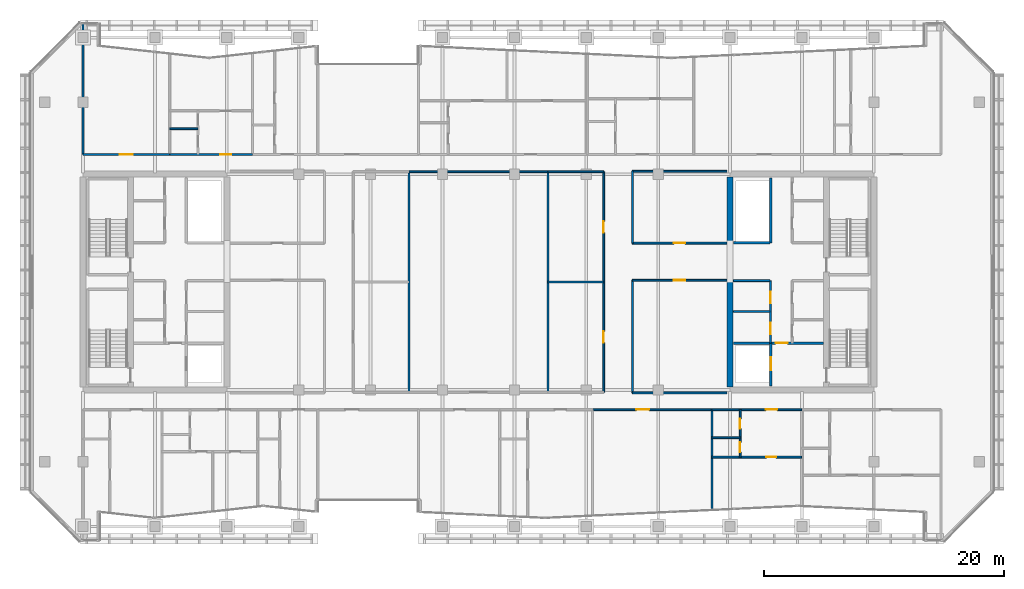
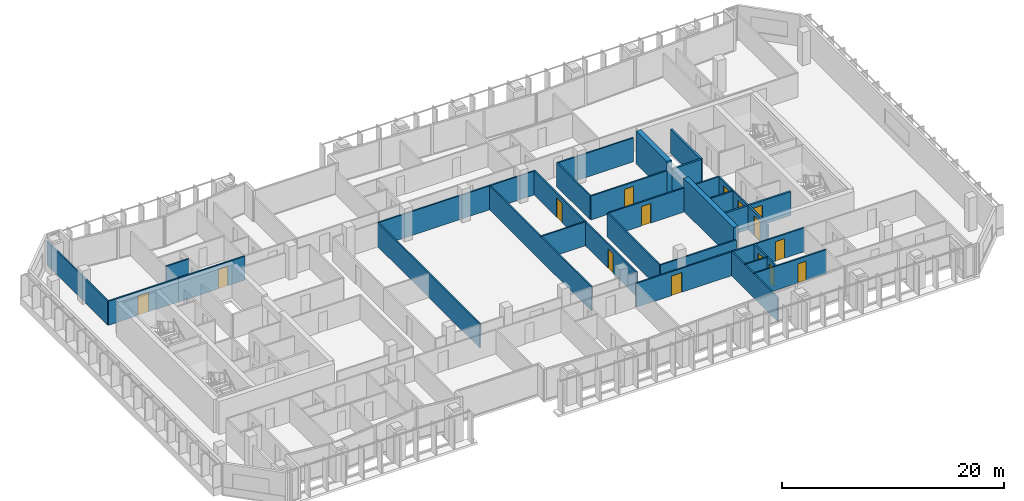
# One storey, part 21 of 29: 32 walls, 15 doors, 15 openings.
"""IFC4 building model written with IfcOpenShell, lengths in metres."""

from ifc_helpers import new_model, si_unit, direction, frame, frame_2d, origin, place, context, subcontext, project, spatial, rectangle, extrude, material, layer, layer_set, type_object, element, fill, save


model = new_model("IFC4")

# Units and contexts
model_context = context("Model", 3, precision=1e-05, world=origin(), true_north=direction((0.0, 1.0)))
body_context = subcontext(model_context, "Body", "Model", "MODEL_VIEW")
ifc_project = project(units=[si_unit("LENGTHUNIT", "METRE"), si_unit("AREAUNIT", "SQUARE_METRE"), si_unit("VOLUMEUNIT", "CUBIC_METRE"), si_unit("PLANEANGLEUNIT", "RADIAN"), si_unit("MASSUNIT", "GRAM", prefix="KILO")], contexts=[model_context])

# Site, building, storey
site_placement = place(None, origin())
site = spatial("IfcSite", under=ifc_project, at=site_placement, CompositionType="ELEMENT")
building_placement = place(site_placement, origin())
building = spatial("IfcBuilding", under=site, at=building_placement, Name="Tanjung Sevakor Pilgrim Tower", CompositionType="ELEMENT")
storey_placement = place(building_placement, frame((0.0, 0.0, 162.030029296875)))
storey = spatial("IfcBuildingStorey", under=building, at=storey_placement, Name="L45", CompositionType="ELEMENT", Elevation=162.030029296875)

# Walls
ifc_material_1 = material(Name="Concrete C60/75", Category="concrete")
ifc_layer_1 = layer(ifc_material_1, 0.5)
ifc_layer_set_1 = layer_set([ifc_layer_1], Name="WALL-CW-500")
wall_type_1 = type_object("IfcWallType", Name="WALL-CW-500", PredefinedType="SHEAR", material=ifc_layer_set_1)
wall_1_placement = place(storey_placement, frame((78.0, 24.85009765625, 0.0), z_axis=(0.0, 0.0, 1.0), x_axis=(0.0, 1.0, 0.0)))
element("IfcWall", 1, at=wall_1_placement, inside=storey, type_object=wall_type_1, Name="L45 E Core Inner Shear Wall South", PredefinedType="SHEAR", context=body_context, shape_type="SweptSolid", body=[
    extrude(rectangle(XDim=8.949951171875, YDim=0.5, at=frame_2d((4.47509765625, 0.0))), origin(), (0.0, 0.0, 1.0), 3.6298828125),
])
wall_2_placement = place(storey_placement, frame((78.0, 36.800048828125, 0.0), z_axis=(0.0, 0.0, 1.0), x_axis=(0.0, 1.0, 0.0)))
element("IfcWall", 2, at=wall_2_placement, inside=storey, type_object=wall_type_1, Name="L45 E Core Inner Shear Wall North", PredefinedType="SHEAR", context=body_context, shape_type="SweptSolid", body=[
    extrude(rectangle(XDim=5.550048828125, YDim=0.5, at=frame_2d((2.77490234375, 0.0))), origin(), (0.0, 0.0, 1.0), 3.6298828125),
])
ifc_material_2 = material(Name="Concrete C40/50", Category="concrete")
ifc_layer_2 = layer(ifc_material_2, 0.14990234375)
ifc_layer_set_2 = layer_set([ifc_layer_2], Name="WT-COMP-150")
wall_type_2 = type_object("IfcWallType", Name="WT-COMP-150", PredefinedType="SOLIDWALL", material=ifc_layer_set_2)
for number, where, z_axis, x_axis, name in (
    (3, (78.27001953125, 31.14990234375, 0.0), (0.0, 0.0, 1.0), (1.0, 0.0, 0.0), "L45 Partition IW-L45-019"),
    (4, (78.27001953125, 33.719970703125, 0.0), (0.0, 0.0, 1.0), (1.0, 0.0, 0.0), "L45 Partition IW-L45-020"),
):
    element("IfcWall", number, at=place(storey_placement, frame(where, z_axis=z_axis, x_axis=x_axis)), inside=storey, type_object=wall_type_2, Name=name, PredefinedType="SOLIDWALL", context=body_context, shape_type="SweptSolid", body=[
        extrude(rectangle(XDim=3.050048828125, YDim=0.14990234375, at=frame_2d((1.52490234375, 0.0))), origin(), (0.0, 0.0, 1.0), 2.6298828125),
    ])

# Wall, openings, doors
wall_3_placement = place(storey_placement, frame((81.3798828125, 28.5, 0.0), z_axis=(0.0, 0.0, 1.0), x_axis=(0.0, 1.0, 0.0)))
wall_3 = element("IfcWall", 5, at=wall_3_placement, inside=storey, type_object=wall_type_2, Name="L45 Partition IW-L45-021", PredefinedType="SOLIDWALL", context=body_context, shape_type="SweptSolid", body=[
    extrude(rectangle(XDim=5.219970703125, YDim=0.14990234375, at=frame_2d((2.60986328125, 0.0))), origin(), (0.0, 0.0, 1.0), 2.6298828125),
])
opening_1_placement = place(wall_3_placement, frame((0.75, 0.0, 0.0)))
opening_1 = element("IfcOpeningElement", 6, at=opening_1_placement, cuts=wall_3, Name="Opening ID-FD2", PredefinedType="OPENING", context=body_context, shape_type="SweptSolid", body=[
    extrude(rectangle(XDim=0.949951171875, YDim=2.14990234375, at=frame_2d((0.47509765625, 1.074951171875))), frame((0.0, 0.0849609375, 0.0), z_axis=(0.0, -1.0, 0.0), x_axis=(1.0, 0.0, 0.0)), (0.0, 0.0, 1.0), 0.169921875),
])
opening_2_placement = place(wall_3_placement, frame((3.35009765625, 0.0, 0.0)))
opening_2 = element("IfcOpeningElement", 7, at=opening_2_placement, cuts=wall_3, Name="Opening ID-FD2", PredefinedType="OPENING", context=body_context, shape_type="SweptSolid", body=[
    extrude(rectangle(XDim=0.949951171875, YDim=2.14990234375, at=frame_2d((0.47509765625, 1.074951171875))), frame((0.0, 0.0849609375, 0.0), z_axis=(0.0, -1.0, 0.0), x_axis=(1.0, 0.0, 0.0)), (0.0, 0.0, 1.0), 0.169921875),
])
ifc_material_3 = material(Name="Fire-Rated Timber", Category="wood")
door_type_1 = type_object("IfcDoorType", Name="DT-FIRE-950", OperationType="NOTDEFINED", PredefinedType="DOOR", material=ifc_material_3)
door_1_placement = place(opening_1_placement, origin())
door_1 = element("IfcDoor", 8, at=door_1_placement, inside=storey, type_object=door_type_1, Name="L45 Accessible WC Door", OperationType="SINGLE_SWING_LEFT", OverallHeight=2.14990234375, OverallWidth=0.949951171875, PredefinedType="DOOR", context=body_context, shape_type="SweptSolid", body=[
    extrude(rectangle(XDim=0.949951171875, YDim=2.14990234375, at=frame_2d((0.47509765625, 1.074951171875))), frame((0.0, 0.02490234375, 0.0), z_axis=(0.0, -1.0, 0.0), x_axis=(1.0, 0.0, 0.0)), (0.0, 0.0, 1.0), 0.050048828125),
])
fill(opening_1, door_1)
door_2_placement = place(opening_2_placement, origin())
door_2 = element("IfcDoor", 9, at=door_2_placement, inside=storey, type_object=door_type_1, Name="L45 Core Service Door", OperationType="SINGLE_SWING_RIGHT", OverallHeight=2.14990234375, OverallWidth=0.949951171875, PredefinedType="DOOR", context=body_context, shape_type="SweptSolid", body=[
    extrude(rectangle(XDim=0.949951171875, YDim=2.14990234375, at=frame_2d((0.47509765625, 1.074951171875))), frame((0.0, 0.02490234375, 0.0), z_axis=(0.0, -1.0, 0.0), x_axis=(1.0, 0.0, 0.0)), (0.0, 0.0, 1.0), 0.050048828125),
])
fill(opening_2, door_2)

# Wall
wall_4_placement = place(storey_placement, frame((69.85009765625, 24.35009765625, 0.0), z_axis=(0.0, 0.0, 1.0), x_axis=(1.0, 0.0, 0.0)))
element("IfcWall", 10, at=wall_4_placement, inside=storey, type_object=wall_type_2, Name="L45 Partition IW-L45-033", PredefinedType="SOLIDWALL", context=body_context, shape_type="SweptSolid", body=[
    extrude(rectangle(XDim=7.8798828125, YDim=0.14990234375, at=frame_2d((3.93994140625, 0.0))), origin(), (0.0, 0.0, 1.0), 2.6298828125),
])

# Wall, opening, door
wall_5_placement = place(storey_placement, frame((69.85009765625, 33.75, 0.0), z_axis=(0.0, 0.0, 1.0), x_axis=(1.0, 0.0, 0.0)))
wall_5 = element("IfcWall", 11, at=wall_5_placement, inside=storey, type_object=wall_type_2, Name="L45 Partition IW-L45-034", PredefinedType="SOLIDWALL", context=body_context, shape_type="SweptSolid", body=[
    extrude(rectangle(XDim=7.8798828125, YDim=0.14990234375, at=frame_2d((3.93994140625, 0.0))), origin(), (0.0, 0.0, 1.0), 2.6298828125),
])
opening_3_placement = place(wall_5_placement, frame((3.465087890625, 0.0, 0.0)))
opening_3 = element("IfcOpeningElement", 12, at=opening_3_placement, cuts=wall_5, Name="Opening ID-RM1", PredefinedType="OPENING", context=body_context, shape_type="SweptSolid", body=[
    extrude(rectangle(XDim=0.949951171875, YDim=2.14990234375, at=frame_2d((0.47509765625, 1.074951171875))), frame((0.0, 0.0849609375, 0.0), z_axis=(0.0, -1.0, 0.0), x_axis=(1.0, 0.0, 0.0)), (0.0, 0.0, 1.0), 0.169921875),
])
ifc_material_4 = material(Name="Hardwood Timber", Category="wood")
door_type_2 = type_object("IfcDoorType", Name="DT-INT-950", OperationType="NOTDEFINED", PredefinedType="DOOR", material=ifc_material_4)
door_3_placement = place(opening_3_placement, origin())
door_3 = element("IfcDoor", 13, at=door_3_placement, inside=storey, type_object=door_type_2, Name="L45 East Inboard South Door", OperationType="SINGLE_SWING_LEFT", OverallHeight=2.14990234375, OverallWidth=0.949951171875, PredefinedType="DOOR", context=body_context, shape_type="SweptSolid", body=[
    extrude(rectangle(XDim=0.949951171875, YDim=2.14990234375, at=frame_2d((0.47509765625, 1.074951171875))), frame((0.0, 0.02490234375, 0.0), z_axis=(0.0, -1.0, 0.0), x_axis=(1.0, 0.0, 0.0)), (0.0, 0.0, 1.0), 0.050048828125),
])
fill(opening_3, door_3)

# Wall
wall_6_placement = place(storey_placement, frame((69.85009765625, 24.35009765625, 0.0), z_axis=(0.0, 0.0, 1.0), x_axis=(0.0, 1.0, 0.0)))
element("IfcWall", 14, at=wall_6_placement, inside=storey, type_object=wall_type_2, Name="L45 Partition IW-L45-035", PredefinedType="SOLIDWALL", context=body_context, shape_type="SweptSolid", body=[
    extrude(rectangle(XDim=9.39990234375, YDim=0.14990234375, at=frame_2d((4.699951171875, 0.0))), origin(), (0.0, 0.0, 1.0), 2.6298828125),
])

# Wall, opening, door
wall_7_placement = place(storey_placement, frame((69.85009765625, 36.85009765625, 0.0), z_axis=(0.0, 0.0, 1.0), x_axis=(1.0, 0.0, 0.0)))
wall_7 = element("IfcWall", 15, at=wall_7_placement, inside=storey, type_object=wall_type_2, Name="L45 Partition IW-L45-036", PredefinedType="SOLIDWALL", context=body_context, shape_type="SweptSolid", body=[
    extrude(rectangle(XDim=7.8798828125, YDim=0.14990234375, at=frame_2d((3.93994140625, 0.0))), origin(), (0.0, 0.0, 1.0), 2.6298828125),
])
opening_4_placement = place(wall_7_placement, frame((3.465087890625, 0.0, 0.0)))
opening_4 = element("IfcOpeningElement", 16, at=opening_4_placement, cuts=wall_7, Name="Opening ID-RM1", PredefinedType="OPENING", context=body_context, shape_type="SweptSolid", body=[
    extrude(rectangle(XDim=0.949951171875, YDim=2.14990234375, at=frame_2d((0.47509765625, 1.074951171875))), frame((0.0, 0.0849609375, 0.0), z_axis=(0.0, -1.0, 0.0), x_axis=(1.0, 0.0, 0.0)), (0.0, 0.0, 1.0), 0.169921875),
])
door_4_placement = place(opening_4_placement, origin())
door_4 = element("IfcDoor", 17, at=door_4_placement, inside=storey, type_object=door_type_2, Name="L45 East Inboard North Door", OperationType="SINGLE_SWING_RIGHT", OverallHeight=2.14990234375, OverallWidth=0.949951171875, PredefinedType="DOOR", context=body_context, shape_type="SweptSolid", body=[
    extrude(rectangle(XDim=0.949951171875, YDim=2.14990234375, at=frame_2d((0.47509765625, 1.074951171875))), frame((0.0, 0.02490234375, 0.0), z_axis=(0.0, -1.0, 0.0), x_axis=(1.0, 0.0, 0.0)), (0.0, 0.0, 1.0), 0.050048828125),
])
fill(opening_4, door_4)

# Walls
wall_8_placement = place(storey_placement, frame((69.85009765625, 42.85009765625, 0.0), z_axis=(0.0, 0.0, 1.0), x_axis=(1.0, 0.0, 0.0)))
element("IfcWall", 18, at=wall_8_placement, inside=storey, type_object=wall_type_2, Name="L45 Partition IW-L45-037", PredefinedType="SOLIDWALL", context=body_context, shape_type="SweptSolid", body=[
    extrude(rectangle(XDim=7.8798828125, YDim=0.14990234375, at=frame_2d((3.93994140625, 0.0))), origin(), (0.0, 0.0, 1.0), 2.6298828125),
])
wall_9_placement = place(storey_placement, frame((69.85009765625, 36.85009765625, 0.0), z_axis=(0.0, 0.0, 1.0), x_axis=(0.0, 1.0, 0.0)))
element("IfcWall", 19, at=wall_9_placement, inside=storey, type_object=wall_type_2, Name="L45 Partition IW-L45-038", PredefinedType="SOLIDWALL", context=body_context, shape_type="SweptSolid", body=[
    extrude(rectangle(XDim=6.0, YDim=0.14990234375, at=frame_2d((3.0, 0.0))), origin(), (0.0, 0.0, 1.0), 2.6298828125),
])
wall_10_placement = place(storey_placement, frame((51.199951171875, 42.800048828125, 0.0), z_axis=(0.0, 0.0, 1.0), x_axis=(1.0, 0.0, 0.0)))
element("IfcWall", 20, at=wall_10_placement, inside=storey, type_object=wall_type_2, Name="L45 Partition IW-L45-045", PredefinedType="SOLIDWALL", context=body_context, shape_type="SweptSolid", body=[
    extrude(rectangle(XDim=11.60009765625, YDim=0.14990234375, at=frame_2d((5.800048828125, 0.0))), origin(), (0.0, 0.0, 1.0), 2.6298828125),
])
for number, where, z_axis, x_axis, name in (
    (21, (51.199951171875, 24.39990234375, 0.0), (0.0, 0.0, 1.0), (0.0, 1.0, 0.0), "L45 Partition IW-L45-046"),
    (22, (62.800048828125, 24.39990234375, 0.0), (0.0, 0.0, 1.0), (0.0, 1.0, 0.0), "L45 Partition IW-L45-047"),
):
    element("IfcWall", number, at=place(storey_placement, frame(where, z_axis=z_axis, x_axis=x_axis)), inside=storey, type_object=wall_type_2, Name=name, PredefinedType="SOLIDWALL", context=body_context, shape_type="SweptSolid", body=[
        extrude(rectangle(XDim=18.400146484375, YDim=0.14990234375, at=frame_2d((9.2001953125, 0.0))), origin(), (0.0, 0.0, 1.0), 2.6298828125),
    ])
wall_11_placement = place(storey_placement, frame((62.800048828125, 33.60009765625, 0.0), z_axis=(0.0, 0.0, 1.0), x_axis=(1.0, 0.0, 0.0)))
element("IfcWall", 23, at=wall_11_placement, inside=storey, type_object=wall_type_2, Name="L45 Partition IW-L45-049", PredefinedType="SOLIDWALL", context=body_context, shape_type="SweptSolid", body=[
    extrude(rectangle(XDim=4.64990234375, YDim=0.14990234375, at=frame_2d((2.324951171875, 0.0))), origin(), (0.0, 0.0, 1.0), 2.6298828125),
])

# Wall, opening, door
wall_12_placement = place(storey_placement, frame((67.449951171875, 24.39990234375, 0.0), z_axis=(0.0, 0.0, 1.0), x_axis=(0.0, 1.0, 0.0)))
wall_12 = element("IfcWall", 24, at=wall_12_placement, inside=storey, type_object=wall_type_2, Name="L45 Partition IW-L45-050", PredefinedType="SOLIDWALL", context=body_context, shape_type="SweptSolid", body=[
    extrude(rectangle(XDim=9.2001953125, YDim=0.14990234375, at=frame_2d((4.60009765625, 0.0))), origin(), (0.0, 0.0, 1.0), 2.6298828125),
])
opening_5_placement = place(wall_12_placement, frame((4.125, 0.0, 0.0)))
opening_5 = element("IfcOpeningElement", 25, at=opening_5_placement, cuts=wall_12, Name="Opening ID-RM1", PredefinedType="OPENING", context=body_context, shape_type="SweptSolid", body=[
    extrude(rectangle(XDim=0.949951171875, YDim=2.14990234375, at=frame_2d((0.47509765625, 1.074951171875))), frame((0.0, 0.0849609375, 0.0), z_axis=(0.0, -1.0, 0.0), x_axis=(1.0, 0.0, 0.0)), (0.0, 0.0, 1.0), 0.169921875),
])
door_5_placement = place(opening_5_placement, origin())
door_5 = element("IfcDoor", 26, at=door_5_placement, inside=storey, type_object=door_type_2, Name="L45 Female Ablution Door", OperationType="SINGLE_SWING_RIGHT", OverallHeight=2.14990234375, OverallWidth=0.949951171875, PredefinedType="DOOR", context=body_context, shape_type="SweptSolid", body=[
    extrude(rectangle(XDim=0.949951171875, YDim=2.14990234375, at=frame_2d((0.47509765625, 1.074951171875))), frame((0.0, 0.02490234375, 0.0), z_axis=(0.0, -1.0, 0.0), x_axis=(1.0, 0.0, 0.0)), (0.0, 0.0, 1.0), 0.050048828125),
])
fill(opening_5, door_5)

# Wall
wall_13_placement = place(storey_placement, frame((62.800048828125, 42.800048828125, 0.0), z_axis=(0.0, 0.0, 1.0), x_axis=(1.0, 0.0, 0.0)))
element("IfcWall", 27, at=wall_13_placement, inside=storey, type_object=wall_type_2, Name="L45 Partition IW-L45-051", PredefinedType="SOLIDWALL", context=body_context, shape_type="SweptSolid", body=[
    extrude(rectangle(XDim=4.64990234375, YDim=0.14990234375, at=frame_2d((2.324951171875, 0.0))), origin(), (0.0, 0.0, 1.0), 2.6298828125),
])

# Wall, opening, door
wall_14_placement = place(storey_placement, frame((67.449951171875, 33.60009765625, 0.0), z_axis=(0.0, 0.0, 1.0), x_axis=(0.0, 1.0, 0.0)))
wall_14 = element("IfcWall", 28, at=wall_14_placement, inside=storey, type_object=wall_type_2, Name="L45 Partition IW-L45-052", PredefinedType="SOLIDWALL", context=body_context, shape_type="SweptSolid", body=[
    extrude(rectangle(XDim=9.199951171875, YDim=0.14990234375, at=frame_2d((4.60009765625, 0.0))), origin(), (0.0, 0.0, 1.0), 2.6298828125),
])
opening_6_placement = place(wall_14_placement, frame((4.125, 0.0, 0.0)))
opening_6 = element("IfcOpeningElement", 29, at=opening_6_placement, cuts=wall_14, Name="Opening ID-RM1", PredefinedType="OPENING", context=body_context, shape_type="SweptSolid", body=[
    extrude(rectangle(XDim=0.949951171875, YDim=2.14990234375, at=frame_2d((0.47509765625, 1.074951171875))), frame((0.0, 0.0849609375, 0.0), z_axis=(0.0, -1.0, 0.0), x_axis=(1.0, 0.0, 0.0)), (0.0, 0.0, 1.0), 0.169921875),
])
door_6_placement = place(opening_6_placement, origin())
door_6 = element("IfcDoor", 30, at=door_6_placement, inside=storey, type_object=door_type_2, Name="L45 Female Washroom Door", OperationType="SINGLE_SWING_LEFT", OverallHeight=2.14990234375, OverallWidth=0.949951171875, PredefinedType="DOOR", context=body_context, shape_type="SweptSolid", body=[
    extrude(rectangle(XDim=0.949951171875, YDim=2.14990234375, at=frame_2d((0.47509765625, 1.074951171875))), frame((0.0, 0.02490234375, 0.0), z_axis=(0.0, -1.0, 0.0), x_axis=(1.0, 0.0, 0.0)), (0.0, 0.0, 1.0), 0.050048828125),
])
fill(opening_6, door_6)

# Wall
wall_15_placement = place(storey_placement, frame((76.490966796875, 14.56591796875, 0.0), z_axis=(0.0, 0.0, 1.0), x_axis=(0.0, 1.0, 0.0)))
element("IfcWall", 31, at=wall_15_placement, inside=storey, type_object=wall_type_2, Name="L45 Partition IW-L45-080", PredefinedType="SOLIDWALL", context=body_context, shape_type="SweptSolid", body=[
    extrude(rectangle(XDim=8.384033203125, YDim=0.14990234375, at=frame_2d((4.19189453125, 0.0))), origin(), (0.0, 0.0, 1.0), 2.6298828125),
])

# Wall, opening, door
wall_16_placement = place(storey_placement, frame((66.52099609375, 22.949951171875, 0.0), z_axis=(0.0, 0.0, 1.0), x_axis=(1.0, 0.0, 0.0)))
wall_16 = element("IfcWall", 32, at=wall_16_placement, inside=storey, type_object=wall_type_2, Name="L45 Partition IW-L45-081", PredefinedType="SOLIDWALL", context=body_context, shape_type="SweptSolid", body=[
    extrude(rectangle(XDim=9.969970703125, YDim=0.14990234375, at=frame_2d((4.98486328125, 0.0))), origin(), (0.0, 0.0, 1.0), 2.6298828125),
])
opening_7_placement = place(wall_16_placement, frame((3.635009765625, 0.0, 0.0)))
opening_7 = element("IfcOpeningElement", 33, at=opening_7_placement, cuts=wall_16, Name="Opening ID-FD0", PredefinedType="OPENING", context=body_context, shape_type="SweptSolid", body=[
    extrude(rectangle(XDim=1.10009765625, YDim=2.14990234375, at=frame_2d((0.550048828125, 1.074951171875))), frame((0.0, 0.0849609375, 0.0), z_axis=(0.0, -1.0, 0.0), x_axis=(1.0, 0.0, 0.0)), (0.0, 0.0, 1.0), 0.169921875),
])
ifc_material_5 = material(Name="Fire-Rated Steel S355J2", Category="steel")
door_type_3 = type_object("IfcDoorType", Name="DT-FIRE-1100", OperationType="NOTDEFINED", PredefinedType="DOOR", material=ifc_material_5)
door_7_placement = place(opening_7_placement, origin())
door_7 = element("IfcDoor", 34, at=door_7_placement, inside=storey, type_object=door_type_3, Name="Seminar Room Door", OperationType="SINGLE_SWING_LEFT", OverallHeight=2.14990234375, OverallWidth=1.10009765625, PredefinedType="DOOR", context=body_context, shape_type="SweptSolid", body=[
    extrude(rectangle(XDim=1.10009765625, YDim=2.14990234375, at=frame_2d((0.550048828125, 1.074951171875))), frame((0.0, 0.02490234375, 0.0), z_axis=(0.0, -1.0, 0.0), x_axis=(1.0, 0.0, 0.0)), (0.0, 0.0, 1.0), 0.050048828125),
])
fill(opening_7, door_7)

wall_17_placement = place(storey_placement, frame((76.490966796875, 22.949951171875, 0.0), z_axis=(0.0, 0.0, 1.0), x_axis=(1.0, 0.0, 0.0)))
wall_17 = element("IfcWall", 35, at=wall_17_placement, inside=storey, type_object=wall_type_2, Name="L45 Partition IW-L45-086", PredefinedType="SOLIDWALL", context=body_context, shape_type="SweptSolid", body=[
    extrude(rectangle(XDim=7.4775390625, YDim=0.14990234375, at=frame_2d((3.73876953125, 0.0))), origin(), (0.0, 0.0, 1.0), 2.6298828125),
])
opening_8_placement = place(wall_17_placement, frame((4.478759765625, 0.0, 0.0)))
opening_8 = element("IfcOpeningElement", 36, at=opening_8_placement, cuts=wall_17, Name="Opening ID-FD2", PredefinedType="OPENING", context=body_context, shape_type="SweptSolid", body=[
    extrude(rectangle(XDim=0.949951171875, YDim=2.14990234375, at=frame_2d((0.47509765625, 1.074951171875))), frame((0.0, 0.0849609375, 0.0), z_axis=(0.0, -1.0, 0.0), x_axis=(1.0, 0.0, 0.0)), (0.0, 0.0, 1.0), 0.169921875),
])
door_8_placement = place(opening_8_placement, origin())
door_8 = element("IfcDoor", 37, at=door_8_placement, inside=storey, type_object=door_type_1, Name="Residence Entrance", OperationType="SINGLE_SWING_LEFT", OverallHeight=2.14990234375, OverallWidth=0.949951171875, PredefinedType="DOOR", context=body_context, shape_type="SweptSolid", body=[
    extrude(rectangle(XDim=0.949951171875, YDim=2.14990234375, at=frame_2d((0.47509765625, 1.074951171875))), frame((0.0, 0.02490234375, 0.0), z_axis=(0.0, -1.0, 0.0), x_axis=(1.0, 0.0, 0.0)), (0.0, 0.0, 1.0), 0.050048828125),
])
fill(opening_8, door_8)

# Wall
wall_18_placement = place(storey_placement, frame((24.0, 44.25, 0.0), z_axis=(0.0, 0.0, 1.0), x_axis=(0.0, 1.0, 0.0)))
element("IfcWall", 38, at=wall_18_placement, inside=storey, type_object=wall_type_2, Name="L45 Partition IW-L45-092", PredefinedType="SOLIDWALL", context=body_context, shape_type="SweptSolid", body=[
    extrude(rectangle(XDim=10.925048828125, YDim=0.14990234375, at=frame_2d((5.46240234375, 0.0))), origin(), (0.0, 0.0, 1.0), 2.6298828125),
])

# Wall, opening, door
wall_19_placement = place(storey_placement, frame((24.0, 44.25, 0.0), z_axis=(0.0, 0.0, 1.0), x_axis=(1.0, 0.0, 0.0)))
wall_19 = element("IfcWall", 39, at=wall_19_placement, inside=storey, type_object=wall_type_2, Name="L45 Partition IW-L45-094", PredefinedType="SOLIDWALL", context=body_context, shape_type="SweptSolid", body=[
    extrude(rectangle(XDim=7.239501953125, YDim=0.14990234375, at=frame_2d((3.61962890625, 0.0))), origin(), (0.0, 0.0, 1.0), 2.6298828125),
])
opening_9_placement = place(wall_19_placement, frame((3.069580078125, 0.0, 0.0)))
opening_9 = element("IfcOpeningElement", 40, at=opening_9_placement, cuts=wall_19, Name="Opening ID-FD0", PredefinedType="OPENING", context=body_context, shape_type="SweptSolid", body=[
    extrude(rectangle(XDim=1.10009765625, YDim=2.14990234375, at=frame_2d((0.550048828125, 1.074951171875))), frame((0.0, 0.0849609375, 0.0), z_axis=(0.0, -1.0, 0.0), x_axis=(1.0, 0.0, 0.0)), (0.0, 0.0, 1.0), 0.169921875),
])
door_9_placement = place(opening_9_placement, origin())
door_9 = element("IfcDoor", 41, at=door_9_placement, inside=storey, type_object=door_type_3, Name="Communal Lounge Door", OperationType="SINGLE_SWING_LEFT", OverallHeight=2.14990234375, OverallWidth=1.10009765625, PredefinedType="DOOR", context=body_context, shape_type="SweptSolid", body=[
    extrude(rectangle(XDim=1.10009765625, YDim=2.14990234375, at=frame_2d((0.550048828125, 1.074951171875))), frame((0.0, 0.02490234375, 0.0), z_axis=(0.0, -1.0, 0.0), x_axis=(1.0, 0.0, 0.0)), (0.0, 0.0, 1.0), 0.050048828125),
])
fill(opening_9, door_9)

wall_20_placement = place(storey_placement, frame((31.239501953125, 44.25, 0.0), z_axis=(0.0, 0.0, 1.0), x_axis=(1.0, 0.0, 0.0)))
wall_20 = element("IfcWall", 42, at=wall_20_placement, inside=storey, type_object=wall_type_2, Name="L45 Partition IW-L45-099", PredefinedType="SOLIDWALL", context=body_context, shape_type="SweptSolid", body=[
    extrude(rectangle(XDim=6.906005859375, YDim=0.14990234375, at=frame_2d((3.453125, 0.0))), origin(), (0.0, 0.0, 1.0), 2.6298828125),
])
opening_10_placement = place(wall_20_placement, frame((4.192138671875, 0.0, 0.0)))
opening_10 = element("IfcOpeningElement", 43, at=opening_10_placement, cuts=wall_20, Name="Opening ID-FD2", PredefinedType="OPENING", context=body_context, shape_type="SweptSolid", body=[
    extrude(rectangle(XDim=0.949951171875, YDim=2.14990234375, at=frame_2d((0.47509765625, 1.074951171875))), frame((0.0, 0.0849609375, 0.0), z_axis=(0.0, -1.0, 0.0), x_axis=(1.0, 0.0, 0.0)), (0.0, 0.0, 1.0), 0.169921875),
])
door_10_placement = place(opening_10_placement, origin())
door_10 = element("IfcDoor", 44, at=door_10_placement, inside=storey, type_object=door_type_1, Name="Residence Entrance", OperationType="SINGLE_SWING_LEFT", OverallHeight=2.14990234375, OverallWidth=0.949951171875, PredefinedType="DOOR", context=body_context, shape_type="SweptSolid", body=[
    extrude(rectangle(XDim=0.949951171875, YDim=2.14990234375, at=frame_2d((0.47509765625, 1.074951171875))), frame((0.0, 0.02490234375, 0.0), z_axis=(0.0, -1.0, 0.0), x_axis=(1.0, 0.0, 0.0)), (0.0, 0.0, 1.0), 0.050048828125),
])
fill(opening_10, door_10)

ifc_material_6 = material(Name="Concrete C40/50", Category="concrete")
ifc_layer_3 = layer(ifc_material_6, 0.199951171875)
ifc_layer_set_3 = layer_set([ifc_layer_3], Name="WT-FPRT-200")
wall_type_3 = type_object("IfcWallType", Name="WT-FPRT-200", PredefinedType="SOLIDWALL", material=ifc_layer_set_3)
wall_21_placement = place(storey_placement, frame((81.39990234375, 24.919921875, 0.0), z_axis=(0.0, 0.0, 1.0), x_axis=(0.0, 1.0, 0.0)))
wall_21 = element("IfcWall", 45, at=wall_21_placement, inside=storey, type_object=wall_type_3, Name="L45 Partition IW-L45-014", PredefinedType="SOLIDWALL", context=body_context, shape_type="SweptSolid", body=[
    extrude(rectangle(XDim=3.580078125, YDim=0.199951171875, at=frame_2d((1.7900390625, 0.0))), origin(), (0.0, 0.0, 1.0), 2.6298828125),
])
opening_11_placement = place(wall_21_placement, frame((1.300048828125, 0.0, 0.0)))
opening_11 = element("IfcOpeningElement", 46, at=opening_11_placement, cuts=wall_21, Name="Opening LD-1100", PredefinedType="OPENING", context=body_context, shape_type="SweptSolid", body=[
    extrude(rectangle(XDim=1.10009765625, YDim=2.199951171875, at=frame_2d((0.550048828125, 1.10009765625))), frame((0.0, 0.10986328125, 0.0), z_axis=(0.0, -1.0, 0.0), x_axis=(1.0, 0.0, 0.0)), (0.0, 0.0, 1.0), 0.219970703125),
])
ifc_material_7 = material(Name="Brushed Stainless Steel S355J2", Category="steel")
door_type_4 = type_object("IfcDoorType", Name="DT-LIFT-1100", OperationType="SLIDING_TO_LEFT", PredefinedType="DOOR", material=ifc_material_7)
door_11_placement = place(opening_11_placement, origin())
door_11 = element("IfcDoor", 47, at=door_11_placement, inside=storey, type_object=door_type_4, Name="LD-FL-E", OperationType="SLIDING_TO_LEFT", OverallHeight=2.199951171875, OverallWidth=1.10009765625, PredefinedType="DOOR", context=body_context, shape_type="SweptSolid", body=[
    extrude(rectangle(XDim=1.10009765625, YDim=2.199951171875, at=frame_2d((0.550048828125, 1.10009765625))), frame((0.0, 0.02490234375, 0.0), z_axis=(0.0, -1.0, 0.0), x_axis=(1.0, 0.0, 0.0)), (0.0, 0.0, 1.0), 0.050048828125),
])
fill(opening_11, door_11)

wall_22_placement = place(storey_placement, frame((78.27001953125, 28.5, 0.0), z_axis=(0.0, 0.0, 1.0), x_axis=(1.0, 0.0, 0.0)))
wall_22 = element("IfcWall", 48, at=wall_22_placement, inside=storey, type_object=wall_type_3, Name="L45 Partition IW-L45-015", PredefinedType="SOLIDWALL", context=body_context, shape_type="SweptSolid", body=[
    extrude(rectangle(XDim=7.510009765625, YDim=0.199951171875, at=frame_2d((3.7548828125, 0.0))), origin(), (0.0, 0.0, 1.0), 2.6298828125),
])
opening_12_placement = place(wall_22_placement, frame((3.530029296875, 0.0, 0.0)))
opening_12 = element("IfcOpeningElement", 49, at=opening_12_placement, cuts=wall_22, Name="Opening ID-FD1", PredefinedType="OPENING", context=body_context, shape_type="SweptSolid", body=[
    extrude(rectangle(XDim=1.0, YDim=2.14990234375, at=frame_2d((0.5, 1.074951171875))), frame((0.0, 0.10986328125, 0.0), z_axis=(0.0, -1.0, 0.0), x_axis=(1.0, 0.0, 0.0)), (0.0, 0.0, 1.0), 0.219970703125),
])
ifc_material_8 = material(Name="Fire-Rated Steel S355J2", Category="steel")
door_type_5 = type_object("IfcDoorType", Name="DT-FIRE-1000", OperationType="NOTDEFINED", PredefinedType="DOOR", material=ifc_material_8)
door_12_placement = place(opening_12_placement, origin())
door_12 = element("IfcDoor", 50, at=door_12_placement, inside=storey, type_object=door_type_5, Name="Fire Lobby Door E", OperationType="SINGLE_SWING_RIGHT", OverallHeight=2.14990234375, OverallWidth=1.0, PredefinedType="DOOR", context=body_context, shape_type="SweptSolid", body=[
    extrude(rectangle(XDim=1.0, YDim=2.14990234375, at=frame_2d((0.5, 1.074951171875))), frame((0.0, 0.02490234375, 0.0), z_axis=(0.0, -1.0, 0.0), x_axis=(1.0, 0.0, 0.0)), (0.0, 0.0, 1.0), 0.050048828125),
])
fill(opening_12, door_12)

# Walls
wall_23_placement = place(storey_placement, frame((78.27001953125, 36.8798828125, 0.0), z_axis=(0.0, 0.0, 1.0), x_axis=(1.0, 0.0, 0.0)))
element("IfcWall", 51, at=wall_23_placement, inside=storey, type_object=wall_type_3, Name="L45 Partition IW-L45-025", PredefinedType="SOLIDWALL", context=body_context, shape_type="SweptSolid", body=[
    extrude(rectangle(XDim=3.050048828125, YDim=0.199951171875, at=frame_2d((1.52490234375, 0.0))), origin(), (0.0, 0.0, 1.0), 2.6298828125),
])
wall_24_placement = place(storey_placement, frame((81.3798828125, 36.8798828125, 0.0), z_axis=(0.0, 0.0, 1.0), x_axis=(0.0, 1.0, 0.0)))
element("IfcWall", 52, at=wall_24_placement, inside=storey, type_object=wall_type_3, Name="L45 Partition IW-L45-026", PredefinedType="SOLIDWALL", context=body_context, shape_type="SweptSolid", body=[
    extrude(rectangle(XDim=5.420166015625, YDim=0.199951171875, at=frame_2d((2.7099609375, 0.0))), origin(), (0.0, 0.0, 1.0), 2.6298828125),
])
ifc_material_9 = material(Name="Gypsum Board Partition", Category="gypsum board")
ifc_layer_4 = layer(ifc_material_9, 0.14990234375)
ifc_layer_set_4 = layer_set([ifc_layer_4], Name="WT-PART-150")
wall_type_4 = type_object("IfcWallType", Name="WT-PART-150", PredefinedType="PARTITIONING", material=ifc_layer_set_4)
wall_25_placement = place(storey_placement, frame((76.490966796875, 20.614013671875, 0.0), z_axis=(0.0, 0.0, 1.0), x_axis=(1.0, 0.0, 0.0)))
element("IfcWall", 53, at=wall_25_placement, inside=storey, type_object=wall_type_4, Name="L45 Partition IW-L45-083", PredefinedType="PARTITIONING", context=body_context, shape_type="SweptSolid", body=[
    extrude(rectangle(XDim=2.349853515625, YDim=0.14990234375, at=frame_2d((1.1748046875, 0.0))), origin(), (0.0, 0.0, 1.0), 2.6298828125),
])

# Wall, openings, doors
wall_26_placement = place(storey_placement, frame((78.8408203125, 18.990966796875, 0.0), z_axis=(0.0, 0.0, 1.0), x_axis=(0.0, 1.0, 0.0)))
wall_26 = element("IfcWall", 54, at=wall_26_placement, inside=storey, type_object=wall_type_4, Name="L45 Partition IW-L45-084", PredefinedType="PARTITIONING", context=body_context, shape_type="SweptSolid", body=[
    extrude(rectangle(XDim=3.958984375, YDim=0.14990234375, at=frame_2d((1.9794921875, 0.0))), origin(), (0.0, 0.0, 1.0), 2.6298828125),
])
opening_13_placement = place(wall_26_placement, frame((0.38671875, 0.0, 0.0)))
opening_13 = element("IfcOpeningElement", 55, at=opening_13_placement, cuts=wall_26, Name="Opening ID-WC1", PredefinedType="OPENING", context=body_context, shape_type="SweptSolid", body=[
    extrude(rectangle(XDim=0.85009765625, YDim=2.10009765625, at=frame_2d((0.425048828125, 1.050048828125))), frame((0.0, 0.0849609375, 0.0), z_axis=(0.0, -1.0, 0.0), x_axis=(1.0, 0.0, 0.0)), (0.0, 0.0, 1.0), 0.169921875),
])
opening_14_placement = place(wall_26_placement, frame((2.3662109375, 0.0, 0.0)))
opening_14 = element("IfcOpeningElement", 56, at=opening_14_placement, cuts=wall_26, Name="Opening ID-WC1", PredefinedType="OPENING", context=body_context, shape_type="SweptSolid", body=[
    extrude(rectangle(XDim=0.85009765625, YDim=2.10009765625, at=frame_2d((0.425048828125, 1.050048828125))), frame((0.0, 0.0849609375, 0.0), z_axis=(0.0, -1.0, 0.0), x_axis=(1.0, 0.0, 0.0)), (0.0, 0.0, 1.0), 0.169921875),
])
ifc_material_10 = material(Name="Moisture-Resistant Timber", Category="wood")
door_type_6 = type_object("IfcDoorType", Name="DT-INT-850", OperationType="NOTDEFINED", PredefinedType="DOOR", material=ifc_material_10)
door_13_placement = place(opening_13_placement, origin())
door_13 = element("IfcDoor", 57, at=door_13_placement, inside=storey, type_object=door_type_6, Name="Residence Bathroom Door", OperationType="SINGLE_SWING_RIGHT", OverallHeight=2.10009765625, OverallWidth=0.85009765625, PredefinedType="DOOR", context=body_context, shape_type="SweptSolid", body=[
    extrude(rectangle(XDim=0.85009765625, YDim=2.10009765625, at=frame_2d((0.425048828125, 1.050048828125))), frame((0.0, 0.02490234375, 0.0), z_axis=(0.0, -1.0, 0.0), x_axis=(1.0, 0.0, 0.0)), (0.0, 0.0, 1.0), 0.050048828125),
])
fill(opening_13, door_13)
door_14_placement = place(opening_14_placement, origin())
door_14 = element("IfcDoor", 58, at=door_14_placement, inside=storey, type_object=door_type_6, Name="Residence Kitchenette Door", OperationType="SINGLE_SWING_LEFT", OverallHeight=2.10009765625, OverallWidth=0.85009765625, PredefinedType="DOOR", context=body_context, shape_type="SweptSolid", body=[
    extrude(rectangle(XDim=0.85009765625, YDim=2.10009765625, at=frame_2d((0.425048828125, 1.050048828125))), frame((0.0, 0.02490234375, 0.0), z_axis=(0.0, -1.0, 0.0), x_axis=(1.0, 0.0, 0.0)), (0.0, 0.0, 1.0), 0.050048828125),
])
fill(opening_14, door_14)

# Wall, opening, door
wall_27_placement = place(storey_placement, frame((76.490966796875, 18.990966796875, 0.0), z_axis=(0.0, 0.0, 1.0), x_axis=(1.0, 0.0, 0.0)))
wall_27 = element("IfcWall", 59, at=wall_27_placement, inside=storey, type_object=wall_type_4, Name="L45 Partition IW-L45-085", PredefinedType="PARTITIONING", context=body_context, shape_type="SweptSolid", body=[
    extrude(rectangle(XDim=7.4775390625, YDim=0.14990234375, at=frame_2d((3.73876953125, 0.0))), origin(), (0.0, 0.0, 1.0), 2.6298828125),
])
opening_15_placement = place(wall_27_placement, frame((4.52880859375, 0.0, 0.0)))
opening_15 = element("IfcOpeningElement", 60, at=opening_15_placement, cuts=wall_27, Name="Opening ID-WC1", PredefinedType="OPENING", context=body_context, shape_type="SweptSolid", body=[
    extrude(rectangle(XDim=0.85009765625, YDim=2.10009765625, at=frame_2d((0.425048828125, 1.050048828125))), frame((0.0, 0.0849609375, 0.0), z_axis=(0.0, -1.0, 0.0), x_axis=(1.0, 0.0, 0.0)), (0.0, 0.0, 1.0), 0.169921875),
])
door_15_placement = place(opening_15_placement, origin())
door_15 = element("IfcDoor", 61, at=door_15_placement, inside=storey, type_object=door_type_6, Name="Residence Bedroom Door", OperationType="SINGLE_SWING_RIGHT", OverallHeight=2.10009765625, OverallWidth=0.85009765625, PredefinedType="DOOR", context=body_context, shape_type="SweptSolid", body=[
    extrude(rectangle(XDim=0.85009765625, YDim=2.10009765625, at=frame_2d((0.425048828125, 1.050048828125))), frame((0.0, 0.02490234375, 0.0), z_axis=(0.0, -1.0, 0.0), x_axis=(1.0, 0.0, 0.0)), (0.0, 0.0, 1.0), 0.050048828125),
])
fill(opening_15, door_15)

# Wall
wall_28_placement = place(storey_placement, frame((31.239501953125, 46.39697265625, 0.0), z_axis=(0.0, 0.0, 1.0), x_axis=(1.0, 0.0, 0.0)))
element("IfcWall", 62, at=wall_28_placement, inside=storey, type_object=wall_type_4, Name="L45 Partition IW-L45-096", PredefinedType="PARTITIONING", context=body_context, shape_type="SweptSolid", body=[
    extrude(rectangle(XDim=2.34814453125, YDim=0.14990234375, at=frame_2d((1.174072265625, 0.0))), origin(), (0.0, 0.0, 1.0), 2.6298828125),
])

save(model, "model.ifc")
